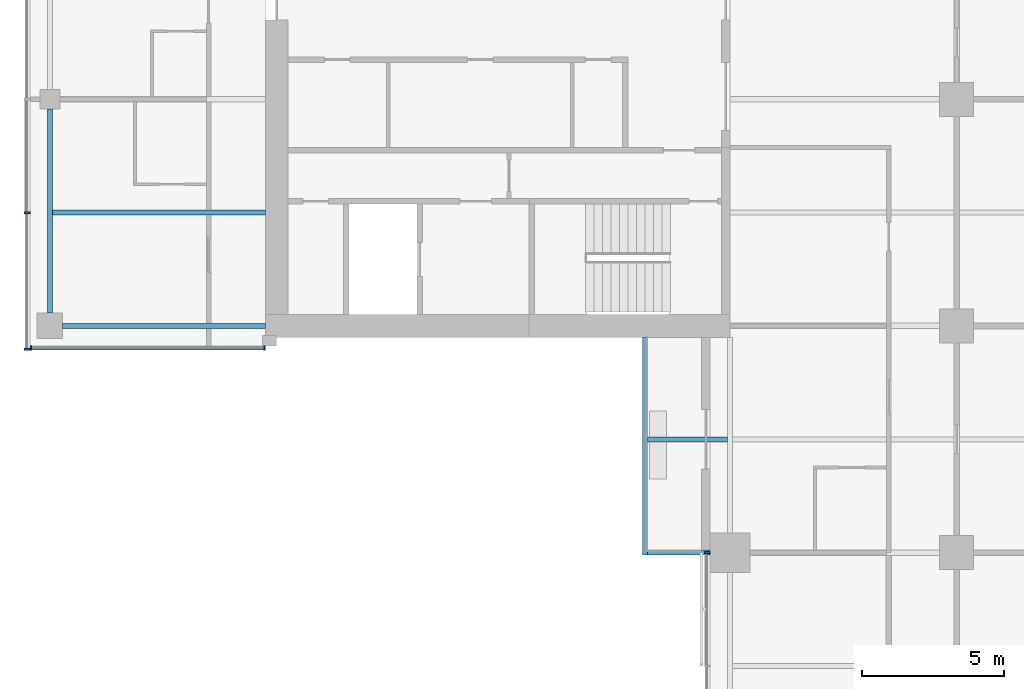
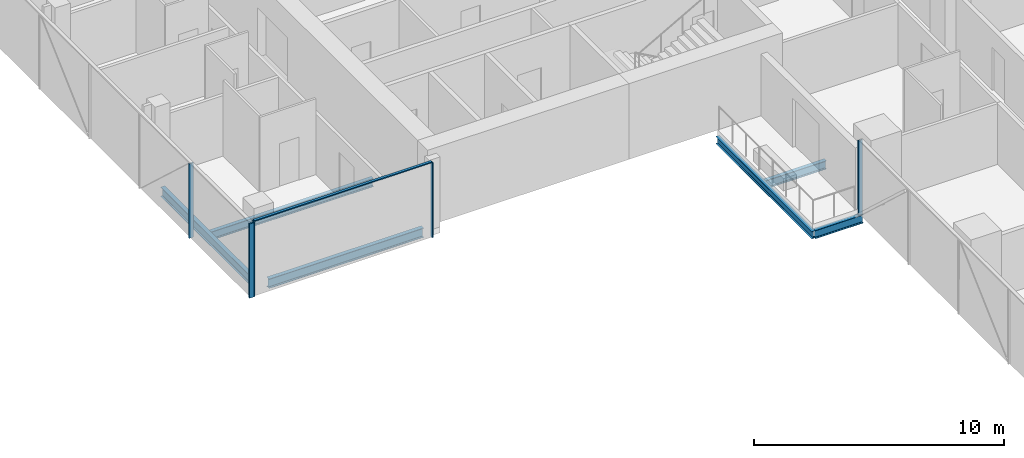
# One storey, part 3 of 27: 6 beams, 6 members, 3 elements without a shape of their own.
"""IFC4 building model written with IfcOpenShell, lengths in metres."""

from ifc_helpers import new_model, si_unit, direction, frame, origin, origin_2d, place, context, subcontext, project, spatial, rectangle, i_section, extrude, material, material_profile, profile_set, type_object, element, aggregate, save


model = new_model("IFC4")

# Units and contexts
model_context = context("Model", 3, precision=1e-05, world=origin(), true_north=direction((0.0, 1.0)))
body_context = subcontext(model_context, "Body", "Model", "MODEL_VIEW")
ifc_project = project(units=[si_unit("LENGTHUNIT", "METRE"), si_unit("AREAUNIT", "SQUARE_METRE"), si_unit("VOLUMEUNIT", "CUBIC_METRE"), si_unit("PLANEANGLEUNIT", "RADIAN"), si_unit("MASSUNIT", "GRAM", prefix="KILO")], contexts=[model_context])

# Site, building, storey
site_placement = place(None, origin())
site = spatial("IfcSite", under=ifc_project, at=site_placement, CompositionType="ELEMENT")
building_placement = place(site_placement, origin())
building = spatial("IfcBuilding", under=site, at=building_placement, Name="Crosswind Convention Tower", CompositionType="ELEMENT")
storey_placement = place(building_placement, frame((0.0, 0.0, 94.199951171875)))
storey = spatial("IfcBuildingStorey", under=building, at=storey_placement, Name="L18", CompositionType="ELEMENT", Elevation=94.199951171875)

# Beams
ifc_material_1 = material(Name="Steel S355", Category="steel")
ifc_material_profile_1 = material_profile(ifc_material_1, i_section(OverallWidth=0.177734375, OverallDepth=0.406494140625, WebThickness=0.0078125, FlangeThickness=0.0126953125, FilletRadius=0.01025390625, at=origin_2d()), Name="UB 406x178x60")
ifc_profile_set_1 = profile_set([ifc_material_profile_1], Name="Steel S355")
beam_type_1 = type_object("IfcBeamType", Name="Balcony cantilever UB 406x178x60", PredefinedType="BEAM", material=ifc_profile_set_1)
beam_1_placement = place(storey_placement, frame((112.90478515625, 84.0, -0.483154296875), z_axis=(-1.0, 0.0, 0.0), x_axis=(0.0, -1.0, 0.0)))
element("IfcBeam", 1, at=beam_1_placement, inside=storey, type_object=beam_type_1, Name="B35 L18 balcony cantilever SW 7", PredefinedType="BEAM", context=body_context, shape_type="SweptSolid", body=[
    extrude(i_section(OverallWidth=0.177734375, OverallDepth=0.406494140625, WebThickness=0.0078125, FlangeThickness=0.0126953125, FilletRadius=0.01025390625, at=origin_2d()), origin(), (0.0, 0.0, 1.0), 2.8193359375),
])
beam_2_placement = place(storey_placement, frame((112.300048828125, 80.0, -0.483154296875), z_axis=(-1.0, 0.0, 0.0), x_axis=(0.0, -1.0, 0.0)))
element("IfcBeam", 2, at=beam_2_placement, inside=storey, type_object=beam_type_1, Name="B35 L18 balcony cantilever SW 8", PredefinedType="BEAM", context=body_context, shape_type="SweptSolid", body=[
    extrude(i_section(OverallWidth=0.177734375, OverallDepth=0.406494140625, WebThickness=0.0078125, FlangeThickness=0.0126953125, FilletRadius=0.01025390625, at=origin_2d()), origin(), (0.0, 0.0, 1.0), 2.214599609375),
])
ifc_material_profile_2 = material_profile(ifc_material_1, i_section(OverallWidth=0.1708984375, OverallDepth=0.35205078125, WebThickness=0.0068359375, FlangeThickness=0.009765625, FilletRadius=0.01025390625, at=origin_2d()), Name="UB 356x171x45")
ifc_profile_set_2 = profile_set([ifc_material_profile_2], Name="Steel S355")
beam_type_2 = type_object("IfcBeamType", Name="Balcony edge beam UB 356x171x45", PredefinedType="BEAM", material=ifc_profile_set_2)
beam_3_placement = place(storey_placement, frame((110.0, 87.60009765625, -0.4560546875), z_axis=(0.0, -1.0, 0.0), x_axis=(1.0, 0.0, 0.0)))
element("IfcBeam", 3, at=beam_3_placement, inside=storey, type_object=beam_type_2, Name="B37 L18 balcony edge beam SW 9", PredefinedType="BEAM", context=body_context, shape_type="SweptSolid", body=[
    extrude(i_section(OverallWidth=0.1708984375, OverallDepth=0.35205078125, WebThickness=0.0068359375, FlangeThickness=0.009765625, FilletRadius=0.01025390625, at=origin_2d()), origin(), (0.0, 0.0, 1.0), 7.68896484375),
])
ifc_material_profile_3 = material_profile(ifc_material_1, i_section(OverallWidth=0.1904296875, OverallDepth=0.457275390625, WebThickness=0.009033203125, FlangeThickness=0.014404296875, FilletRadius=0.01025390625, at=origin_2d()), Name="UB 457x191x75")
ifc_profile_set_3 = profile_set([ifc_material_profile_3], Name="Steel S355")
beam_type_3 = type_object("IfcBeamType", Name="Edge beam UB 457x191x75", PredefinedType="SPANDREL", material=ifc_profile_set_3)
beam_4_placement = place(storey_placement, frame((89.0, 88.449951171875, -0.508544921875), z_axis=(0.0, 1.0, 0.0), x_axis=(-1.0, 0.0, 0.0)))
element("IfcBeam", 4, at=beam_4_placement, inside=storey, type_object=beam_type_3, Name="B17 L18 edge beam 1", PredefinedType="SPANDREL", context=body_context, shape_type="SweptSolid", body=[
    extrude(i_section(OverallWidth=0.1904296875, OverallDepth=0.457275390625, WebThickness=0.009033203125, FlangeThickness=0.014404296875, FilletRadius=0.01025390625, at=origin_2d()), origin(), (0.0, 0.0, 1.0), 7.199951171875),
])
beam_5_placement = place(storey_placement, frame((89.449951171875, 88.0, -0.508544921875), z_axis=(1.0, 0.0, 0.0), x_axis=(0.0, 1.0, 0.0)))
element("IfcBeam", 5, at=beam_5_placement, inside=storey, type_object=beam_type_3, Name="B17 L18 edge beam 4", PredefinedType="SPANDREL", context=body_context, shape_type="SweptSolid", body=[
    extrude(i_section(OverallWidth=0.1904296875, OverallDepth=0.457275390625, WebThickness=0.009033203125, FlangeThickness=0.014404296875, FilletRadius=0.01025390625, at=origin_2d()), origin(), (0.0, 0.0, 1.0), 7.150146484375),
])

# Curtain wall, members
ifc_material_2 = material(Name="Aluminium unitised curtain wall", Category="aluminium")
curtain_wall_type_1 = type_object("IfcCurtainWallType", Name="CORE END SLOT WALL 160", PredefinedType="USERDEFINED", material=ifc_material_2)
curtain_wall_1_placement = place(storey_placement, origin())
curtain_wall_1 = element("IfcCurtainWall", 6, at=curtain_wall_1_placement, inside=storey, type_object=curtain_wall_type_1, Name="CW6 L18 W-S.1-1 slot", ObjectType="UNITISED", PredefinedType="USERDEFINED")
ifc_material_3 = material(Name="Aluminium mullion", Category="aluminium")
ifc_material_profile_4 = material_profile(ifc_material_3, rectangle(XDim=0.159912109375, YDim=0.050048828125, at=origin_2d()), Name="AL 160X50")
ifc_profile_set_4 = profile_set([ifc_material_profile_4], Name="Aluminium mullion")
member_type_1 = type_object("IfcMemberType", Name="MULLION 50X160", PredefinedType="MULLION", material=ifc_profile_set_4)
member_1_placement = place(storey_placement, frame((88.324951171875, 87.219970703125, -0.280029296875), z_axis=(0.0, 0.0, 1.0), x_axis=(0.0, -1.0, 0.0)))
member_1 = element("IfcMember", 7, at=member_1_placement, type_object=member_type_1, Name="CW6 mullion 1", PredefinedType="MULLION", context=body_context, shape_type="SweptSolid", body=[
    extrude(rectangle(XDim=0.159912109375, YDim=0.050048828125, at=origin_2d()), origin(), (0.0, 0.0, 1.0), 3.650146484375),
])
member_2_placement = place(storey_placement, frame((96.574951171875, 87.219970703125, -0.280029296875), z_axis=(0.0, 0.0, 1.0), x_axis=(0.0, -1.0, 0.0)))
member_2 = element("IfcMember", 8, at=member_2_placement, type_object=member_type_1, Name="CW6 mullion 2", PredefinedType="MULLION", context=body_context, shape_type="SweptSolid", body=[
    extrude(rectangle(XDim=0.159912109375, YDim=0.050048828125, at=origin_2d()), origin(), (0.0, 0.0, 1.0), 3.650146484375),
])

curtain_wall_type_2 = type_object("IfcCurtainWallType", Name="HOTEL UNITISED WALL 200", PredefinedType="USERDEFINED", material=ifc_material_2)
curtain_wall_2_placement = place(storey_placement, origin())
curtain_wall_2 = element("IfcCurtainWall", 9, at=curtain_wall_2_placement, inside=storey, type_object=curtain_wall_type_2, Name="CW2 L18 W-TIP 1", ObjectType="UNITISED", PredefinedType="USERDEFINED")
ifc_material_profile_5 = material_profile(ifc_material_3, rectangle(XDim=0.199951171875, YDim=0.06494140625, at=origin_2d()), Name="AL 200X65")
ifc_profile_set_5 = profile_set([ifc_material_profile_5], Name="Aluminium mullion")
member_type_2 = type_object("IfcMemberType", Name="MULLION 65X200", PredefinedType="MULLION", material=ifc_profile_set_5)
member_3_placement = place(storey_placement, frame((88.199951171875, 92.0, -0.280029296875), z_axis=(0.0, 0.0, 1.0), x_axis=(-1.0, 0.0, 0.0)))
member_3 = element("IfcMember", 10, at=member_3_placement, type_object=member_type_2, Name="CW2 mullion 6", PredefinedType="MULLION", context=body_context, shape_type="SweptSolid", body=[
    extrude(rectangle(XDim=0.199951171875, YDim=0.06494140625, at=origin_2d()), origin(), (0.0, 0.0, 1.0), 3.635009765625),
])
member_4_placement = place(storey_placement, frame((88.199951171875, 87.172607421875, -0.280029296875), z_axis=(0.0, 0.0, 1.0), x_axis=(-1.0, 0.0, 0.0)))
member_4 = element("IfcMember", 11, at=member_4_placement, type_object=member_type_2, Name="CW2 mullion 7", PredefinedType="MULLION", context=body_context, shape_type="SweptSolid", body=[
    extrude(rectangle(XDim=0.199951171875, YDim=0.06494140625, at=origin_2d()), origin(), (0.0, 0.0, 1.0), 3.635009765625),
])
aggregate(curtain_wall_2, [member_3, member_4])

# Curtain wall, member
curtain_wall_3_placement = place(storey_placement, origin())
curtain_wall_3 = element("IfcCurtainWall", 12, at=curtain_wall_3_placement, inside=storey, type_object=curtain_wall_type_2, Name="CW2 L18 S-W 1", ObjectType="UNITISED", PredefinedType="USERDEFINED")
member_5_placement = place(storey_placement, frame((112.199951171875, 80.0, -0.280029296875), z_axis=(0.0, 0.0, 1.0), x_axis=(-1.0, 0.0, 0.0)))
member_5 = element("IfcMember", 13, at=member_5_placement, type_object=member_type_2, Name="CW2 mullion 1", PredefinedType="MULLION", context=body_context, shape_type="SweptSolid", body=[
    extrude(rectangle(XDim=0.199951171875, YDim=0.06494140625, at=origin_2d()), origin(), (0.0, 0.0, 1.0), 3.635009765625),
])
aggregate(curtain_wall_3, [member_5])

# Beam
ifc_material_profile_6 = material_profile(ifc_material_1, i_section(OverallWidth=0.177734375, OverallDepth=0.406494140625, WebThickness=0.0078125, FlangeThickness=0.0126953125, FilletRadius=0.01025390625, at=origin_2d()), Name="UB 406x178x60")
ifc_profile_set_6 = profile_set([ifc_material_profile_6], Name="Steel S355")
beam_type_4 = type_object("IfcBeamType", Name="Secondary beam UB 406x178x60", PredefinedType="JOIST", material=ifc_profile_set_6)
beam_6_placement = place(storey_placement, frame((89.09521484375, 92.0, -0.483154296875), z_axis=(1.0, 0.0, 0.0), x_axis=(0.0, 1.0, 0.0)))
element("IfcBeam", 14, at=beam_6_placement, inside=storey, type_object=beam_type_4, Name="B10 L18 secondary beam 1", PredefinedType="JOIST", context=body_context, shape_type="SweptSolid", body=[
    extrude(i_section(OverallWidth=0.177734375, OverallDepth=0.406494140625, WebThickness=0.0078125, FlangeThickness=0.0126953125, FilletRadius=0.01025390625, at=origin_2d()), origin(), (0.0, 0.0, 1.0), 7.5048828125),
])

# Member
ifc_material_4 = material(Name="Aluminium transom", Category="aluminium")
ifc_material_profile_7 = material_profile(ifc_material_4, rectangle(XDim=0.1201171875, YDim=0.050048828125, at=origin_2d()), Name="AL 120X50")
ifc_profile_set_7 = profile_set([ifc_material_profile_7], Name="Aluminium transom")
member_type_3 = type_object("IfcMemberType", Name="TRANSOM 50X120", PredefinedType="USERDEFINED", material=ifc_profile_set_7)
member_6_placement = place(storey_placement, frame((88.35009765625, 87.219970703125, 3.39501953125), z_axis=(1.0, 0.0, 0.0), x_axis=(0.0, 1.0, 0.0)))
member_6 = element("IfcMember", 15, at=member_6_placement, type_object=member_type_3, Name="CW6 transom", ObjectType="TRANSOM", PredefinedType="USERDEFINED", context=body_context, shape_type="SweptSolid", body=[
    extrude(rectangle(XDim=0.1201171875, YDim=0.050048828125, at=origin_2d()), origin(), (0.0, 0.0, 1.0), 8.199951171875),
])

aggregate(curtain_wall_1, [member_1, member_2, member_6])

save(model, "model.ifc")
